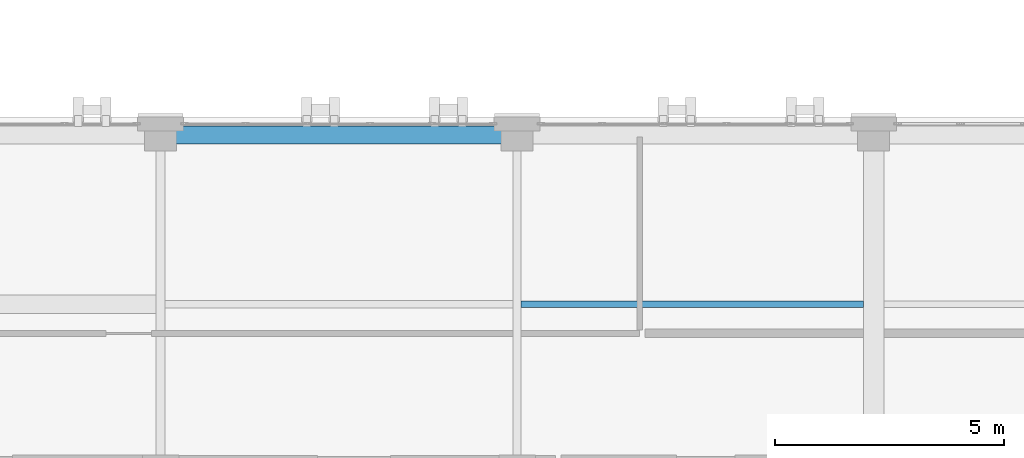
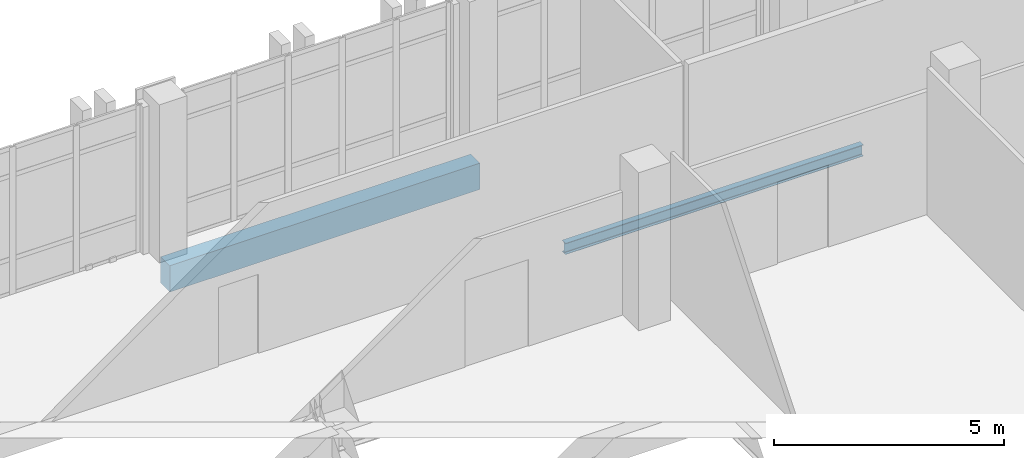
# One storey, part 123 of 193: 2 beams.
"""IFC4 building model written with IfcOpenShell, lengths in metres."""

from ifc_helpers import new_model, si_unit, direction, frame, origin, origin_2d, place, context, subcontext, project, spatial, rectangle, i_section, extrude, material, material_profile, profile_set, type_object, element, save


model = new_model("IFC4")

# Units and contexts
model_context = context("Model", 3, precision=1e-05, world=origin(), true_north=direction((0.0, 1.0)))
body_context = subcontext(model_context, "Body", "Model", "MODEL_VIEW")
ifc_project = project(units=[si_unit("LENGTHUNIT", "METRE"), si_unit("AREAUNIT", "SQUARE_METRE"), si_unit("VOLUMEUNIT", "CUBIC_METRE"), si_unit("PLANEANGLEUNIT", "RADIAN"), si_unit("MASSUNIT", "GRAM", prefix="KILO")], contexts=[model_context])

# Site, building, storey
site_placement = place(None, origin())
site = spatial("IfcSite", under=ifc_project, at=site_placement, CompositionType="ELEMENT")
building_placement = place(site_placement, origin())
building = spatial("IfcBuilding", under=site, at=building_placement, Name="Qalavern Law Courts", CompositionType="ELEMENT")
storey_placement = place(building_placement, frame((0.0, 0.0, 10.199951171875)))
storey = spatial("IfcBuildingStorey", under=building, at=storey_placement, Name="L02", CompositionType="ELEMENT", Elevation=10.199951171875)

# Beams
ifc_material_1 = material(Name="Steel S355", Category="steel")
ifc_material_profile_1 = material_profile(ifc_material_1, i_section(OverallWidth=0.14990234375, OverallDepth=0.300048828125, WebThickness=0.007080078125, FlangeThickness=0.0107421875, FilletRadius=0.014892578125, at=origin_2d()), Name="IPE 300")
ifc_profile_set_1 = profile_set([ifc_material_profile_1], Name="Steel S355")
beam_type_1 = type_object("IfcBeamType", Name="STR-JST-IPE300", PredefinedType="JOIST", material=ifc_profile_set_1)
beam_1_placement = place(storey_placement, frame((142.087890625, 18.5, -0.43994140625), z_axis=(1.0, 0.0, 0.0), x_axis=(0.0, 1.0, 0.0)))
element("IfcBeam", 1, at=beam_1_placement, inside=storey, type_object=beam_type_1, Name="V6 secondary joist 6.3.1 L02", PredefinedType="JOIST", context=body_context, shape_type="SweptSolid", body=[
    extrude(i_section(OverallWidth=0.14990234375, OverallDepth=0.300048828125, WebThickness=0.007080078125, FlangeThickness=0.0107421875, FilletRadius=0.014892578125, at=origin_2d()), origin(), (0.0, 0.0, 1.0), 7.489013671875),
])
ifc_material_2 = material(Name="Concrete C40/50", Category="concrete")
ifc_material_profile_2 = material_profile(ifc_material_2, rectangle(XDim=0.39990234375, YDim=0.699951171875, at=origin_2d()), Name="RC 400x700")
ifc_profile_set_2 = profile_set([ifc_material_profile_2], Name="Concrete C40/50")
beam_type_2 = type_object("IfcBeamType", Name="STR-SP-RC400x700", PredefinedType="SPANDREL", material=ifc_profile_set_2)
beam_2_placement = place(storey_placement, frame((134.199951171875, 22.199951171875, -0.639892578125), z_axis=(1.0, 0.0, 0.0), x_axis=(0.0, 1.0, 0.0)))
element("IfcBeam", 2, at=beam_2_placement, inside=storey, type_object=beam_type_2, Name="V6 X-beam 4-5 L02", PredefinedType="SPANDREL", context=body_context, shape_type="SweptSolid", body=[
    extrude(rectangle(XDim=0.39990234375, YDim=0.699951171875, at=origin_2d()), origin(), (0.0, 0.0, 1.0), 7.800048828125),
])

save(model, "model.ifc")
